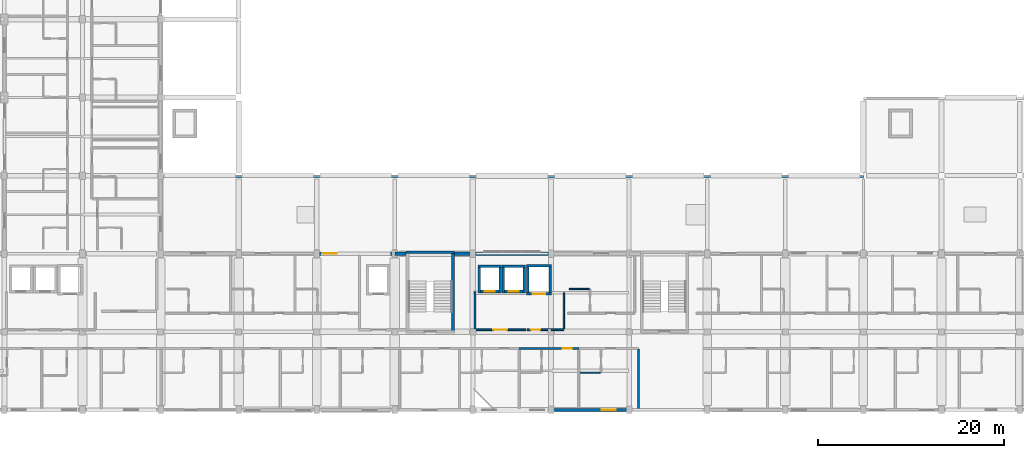
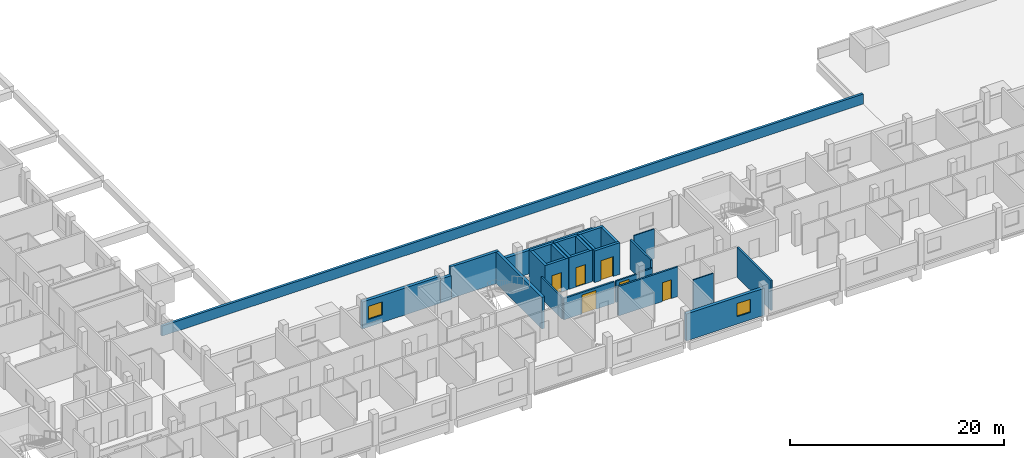
# One storey, part 33 of 42: 28 walls, 6 doors, 2 windows, 8 openings.
"""IFC4 building model written with IfcOpenShell, lengths in metres."""

from ifc_helpers import new_model, si_unit, derived_unit, direction, frame, frame_2d, origin, place, context, subcontext, project, spatial, rectangle, extrude, material, layer, layer_set, type_object, element, fill, save


model = new_model("IFC4")

# Units and contexts
model_context = context("Model", 3, precision=1e-05, world=origin(), true_north=direction((0.0, 1.0)))
body_context = subcontext(model_context, "Body", "Model", "MODEL_VIEW")
ifc_project = project(units=[si_unit("LENGTHUNIT", "METRE"), si_unit("AREAUNIT", "SQUARE_METRE"), si_unit("VOLUMEUNIT", "CUBIC_METRE"), si_unit("PLANEANGLEUNIT", "RADIAN"), si_unit("MASSUNIT", "GRAM", prefix="KILO"), derived_unit("THERMALTRANSMITTANCEUNIT", [(si_unit("POWERUNIT", "WATT"), 1), (si_unit("LENGTHUNIT", "METRE"), -2), (si_unit("THERMODYNAMICTEMPERATUREUNIT", "KELVIN"), -1)])], contexts=[model_context])

# Site, building, storey
site_placement = place(None, origin())
site = spatial("IfcSite", under=ifc_project, at=site_placement, CompositionType="ELEMENT")
building_placement = place(site_placement, origin())
building = spatial("IfcBuilding", under=site, at=building_placement, Name="Barrovel Congress Hotel", CompositionType="ELEMENT")
storey_placement = place(building_placement, frame((0.0, 0.0, 18.300048828125)))
storey = spatial("IfcBuildingStorey", under=building, at=storey_placement, Name="L04", CompositionType="ELEMENT", Elevation=18.300048828125)

# Wall
ifc_material_1 = material(Name="Fired Clay Brick Masonry", Category="masonry")
ifc_layer_1 = layer(ifc_material_1, 0.340087890625)
ifc_layer_set_1 = layer_set([ifc_layer_1], Name="Fired Clay Brick Masonry")
wall_type_1 = type_object("IfcWallType", Name="EW-BRK340", PredefinedType="STANDARD", material=ifc_layer_set_1)
wall_1_placement = place(storey_placement, frame((92.39990234375, 21.0, 0.0), z_axis=(0.0, 0.0, 1.0), x_axis=(-1.0, 0.0, 0.0)))
element("IfcWall", 1, at=wall_1_placement, inside=storey, type_object=wall_type_1, Name="EW:L04:HS-NE-3", PredefinedType="STANDARD", context=body_context, shape_type="SweptSolid", body=[
    extrude(rectangle(XDim=10.39990234375, YDim=0.340087890625, at=frame_2d((5.199951171875, 0.0))), origin(), (0.0, 0.0, 1.0), 2.679931640625),
])

# Wall, opening, window
wall_2_placement = place(storey_placement, frame((75.60009765625, 21.0, 0.0), z_axis=(0.0, 0.0, 1.0), x_axis=(-1.0, 0.0, 0.0)))
wall_2 = element("IfcWall", 2, at=wall_2_placement, inside=storey, type_object=wall_type_1, Name="EW:L04:HS-NE-4", PredefinedType="STANDARD", context=body_context, shape_type="SweptSolid", body=[
    extrude(rectangle(XDim=8.400146484375, YDim=0.340087890625, at=frame_2d((4.2001953125, 0.0))), origin(), (0.0, 0.0, 1.0), 3.070068359375),
])
opening_1_placement = place(wall_2_placement, frame((6.2666015625, 0.0, 0.85009765625)))
opening_1 = element("IfcOpeningElement", 3, at=opening_1_placement, cuts=wall_2, Name="Opening WN-07", PredefinedType="OPENING", context=body_context, shape_type="SweptSolid", body=[
    extrude(rectangle(XDim=1.5, YDim=1.5, at=frame_2d((0.75, 0.75))), frame((0.0, 0.18017578125, 0.0), z_axis=(0.0, -1.0, 0.0), x_axis=(1.0, 0.0, 0.0)), (0.0, 0.0, 1.0), 0.360107421875),
])
ifc_material_2 = material(Name="Double Low-E Insulated Glazing", Category="glass")
window_type = type_object("IfcWindowType", Name="WIN-WN-07", PartitioningType="SINGLE_PANEL", PredefinedType="WINDOW", material=ifc_material_2)
window_1_placement = place(opening_1_placement, origin())
window_1 = element("IfcWindow", 4, at=window_1_placement, inside=storey, type_object=window_type, Name="WIN:L04:U23", OverallHeight=1.5, OverallWidth=1.5, PartitioningType="SINGLE_PANEL", PredefinedType="WINDOW", context=body_context, shape_type="SweptSolid", body=[
    extrude(rectangle(XDim=1.5, YDim=1.5, at=frame_2d((0.75, 0.75))), frame((0.0, 0.030029296875, 0.0), z_axis=(0.0, -1.0, 0.0), x_axis=(1.0, 0.0, 0.0)), (0.0, 0.0, 1.0), 0.06005859375),
])
fill(opening_1, window_1)

wall_3_placement = place(storey_placement, frame((92.39990234375, 4.199951171875, 0.0), z_axis=(0.0, 0.0, 1.0), x_axis=(1.0, 0.0, 0.0)))
wall_3 = element("IfcWall", 5, at=wall_3_placement, inside=storey, type_object=wall_type_1, Name="EW:L04:HS-S:P08", PredefinedType="STANDARD", context=body_context, shape_type="SweptSolid", body=[
    extrude(rectangle(XDim=8.400146484375, YDim=0.340087890625, at=frame_2d((4.2001953125, 0.0))), origin(), (0.0, 0.0, 1.0), 3.0751953125),
])
opening_2_placement = place(wall_3_placement, frame((5.44091796875, 0.0, 0.85009765625)))
opening_2 = element("IfcOpeningElement", 6, at=opening_2_placement, cuts=wall_3, Name="Opening WN-07", PredefinedType="OPENING", context=body_context, shape_type="SweptSolid", body=[
    extrude(rectangle(XDim=1.5, YDim=1.5, at=frame_2d((0.75, 0.75))), frame((0.0, 0.18017578125, 0.0), z_axis=(0.0, -1.0, 0.0), x_axis=(1.0, 0.0, 0.0)), (0.0, 0.0, 1.0), 0.360107421875),
])
window_2_placement = place(opening_2_placement, origin())
window_2 = element("IfcWindow", 7, at=window_2_placement, inside=storey, type_object=window_type, Name="WIN:L04:U12", OverallHeight=1.5, OverallWidth=1.5, PartitioningType="SINGLE_PANEL", PredefinedType="WINDOW", context=body_context, shape_type="SweptSolid", body=[
    extrude(rectangle(XDim=1.5, YDim=1.5, at=frame_2d((0.75, 0.75))), frame((0.0, 0.030029296875, 0.0), z_axis=(0.0, -1.0, 0.0), x_axis=(1.0, 0.0, 0.0)), (0.0, 0.0, 1.0), 0.06005859375),
])
fill(opening_2, window_2)

# Walls
wall_4_placement = place(storey_placement, frame((76.800048828125, 21.0, 0.0), z_axis=(0.0, 0.0, 1.0), x_axis=(-1.0, 0.0, 0.0)))
element("IfcWall", 8, at=wall_4_placement, inside=storey, type_object=wall_type_1, Name="EW:L04:HS-NE-4:P01", PredefinedType="STANDARD", context=body_context, shape_type="SweptSolid", body=[
    extrude(rectangle(XDim=1.199951171875, YDim=0.340087890625, at=frame_2d((0.60009765625, 0.0))), origin(), (0.0, 0.0, 1.0), 2.72998046875),
])
ifc_layer_2 = layer(ifc_material_1, 0.260009765625)
ifc_layer_set_2 = layer_set([ifc_layer_2], Name="Fired Clay Brick Masonry")
wall_type_2 = type_object("IfcWallType", Name="EW-PAR260", PredefinedType="PARAPET", material=ifc_layer_set_2)
wall_5_placement = place(storey_placement, frame((50.39990234375, 29.300048828125, 0.0), z_axis=(0.0, 0.0, 1.0), x_axis=(1.0, 0.0, 0.0)))
element("IfcWall", 9, at=wall_5_placement, inside=storey, type_object=wall_type_2, Name="PAR:L04:06", PredefinedType="PARAPET", context=body_context, shape_type="SweptSolid", body=[
    extrude(rectangle(XDim=75.60009765625, YDim=0.260009765625, at=frame_2d((37.800048828125, 0.0))), origin(), (0.0, 0.0, 1.0), 1.14990234375),
])

# Wall, opening, door
ifc_material_3 = material(Name="Gypsum Acoustic Stud", Category="gypsum")
ifc_layer_3 = layer(ifc_material_3, 0.179931640625)
ifc_layer_set_3 = layer_set([ifc_layer_3], Name="Gypsum Acoustic Stud")
wall_type_3 = type_object("IfcWallType", Name="PW-ACU-180", PredefinedType="PARTITIONING", material=ifc_layer_set_3)
wall_6_placement = place(storey_placement, frame((88.963623046875, 10.800048828125, 0.0), z_axis=(0.0, 0.0, 1.0), x_axis=(1.0, 0.0, 0.0)))
wall_6 = element("IfcWall", 10, at=wall_6_placement, inside=storey, type_object=wall_type_3, Name="PW:L04:U11:COR", PredefinedType="PARTITIONING", context=body_context, shape_type="SweptSolid", body=[
    extrude(rectangle(XDim=6.418212890625, YDim=0.179931640625, at=frame_2d((3.208984375, 0.0))), origin(), (0.0, 0.0, 1.0), 3.375),
])
opening_3_placement = place(wall_6_placement, frame((4.71630859375, 0.0, 0.0)))
opening_3 = element("IfcOpeningElement", 11, at=opening_3_placement, cuts=wall_6, Name="Opening ID-HTL", PredefinedType="OPENING", context=body_context, shape_type="SweptSolid", body=[
    extrude(rectangle(XDim=0.9599609375, YDim=2.14990234375, at=frame_2d((0.47998046875, 1.074951171875))), frame((0.0, 0.10009765625, 0.0), z_axis=(0.0, -1.0, 0.0), x_axis=(1.0, 0.0, 0.0)), (0.0, 0.0, 1.0), 0.199951171875),
])
ifc_material_4 = material(Name="Solid Oak Acoustic Timber Door", Category="wood")
door_type_1 = type_object("IfcDoorType", Name="IDR-ID-HTL", OperationType="NOTDEFINED", PredefinedType="DOOR", material=ifc_material_4)
door_1_placement = place(opening_3_placement, origin())
door_1 = element("IfcDoor", 12, at=door_1_placement, inside=storey, type_object=door_type_1, Name="DR:L04:U11:ENT", OperationType="SINGLE_SWING_RIGHT", OverallHeight=2.14990234375, OverallWidth=0.9599609375, PredefinedType="DOOR", context=body_context, shape_type="SweptSolid", body=[
    extrude(rectangle(XDim=0.9599609375, YDim=2.14990234375, at=frame_2d((0.47998046875, 1.074951171875))), frame((0.0, 0.02490234375, 0.0), z_axis=(0.0, -1.0, 0.0), x_axis=(1.0, 0.0, 0.0)), (0.0, 0.0, 1.0), 0.050048828125),
])
fill(opening_3, door_1)

wall_7_placement = place(storey_placement, frame((84.219970703125, 12.820068359375, 0.0), z_axis=(0.0, 0.0, 1.0), x_axis=(1.0, 0.0, 0.0)))
wall_7 = element("IfcWall", 13, at=wall_7_placement, inside=storey, type_object=wall_type_3, Name="RW:SP:L04:LL-C2:S", PredefinedType="PARTITIONING", context=body_context, shape_type="SweptSolid", body=[
    extrude(rectangle(XDim=5.4599609375, YDim=0.179931640625, at=frame_2d((2.72998046875, 0.0))), origin(), (0.0, 0.0, 1.0), 2.429931640625),
])
opening_4_placement = place(wall_7_placement, frame((1.97998046875, 0.0, 0.0)))
opening_4 = element("IfcOpeningElement", 14, at=opening_4_placement, cuts=wall_7, Name="Opening ID-FFL", PredefinedType="OPENING", context=body_context, shape_type="SweptSolid", body=[
    extrude(rectangle(XDim=1.5, YDim=2.14990234375, at=frame_2d((0.75, 1.074951171875))), frame((0.0, 0.10009765625, 0.0), z_axis=(0.0, -1.0, 0.0), x_axis=(1.0, 0.0, 0.0)), (0.0, 0.0, 1.0), 0.199951171875),
])
ifc_material_5 = material(Name="Painted Hollow-Metal Steel Door", Category="steel")
door_type_2 = type_object("IfcDoorType", Name="IDR-ID-FFL", OperationType="NOTDEFINED", PredefinedType="DOOR", material=ifc_material_5)
door_2_placement = place(opening_4_placement, origin())
door_2 = element("IfcDoor", 15, at=door_2_placement, inside=storey, type_object=door_type_2, Name="RD:SP:L04:LL-C2", OperationType="DOUBLE_DOOR_SINGLE_SWING", OverallHeight=2.14990234375, OverallWidth=1.5, PredefinedType="DOOR", context=body_context, shape_type="SweptSolid", body=[
    extrude(rectangle(XDim=1.5, YDim=2.14990234375, at=frame_2d((0.75, 1.074951171875))), frame((0.0, 0.02490234375, 0.0), z_axis=(0.0, -1.0, 0.0), x_axis=(1.0, 0.0, 0.0)), (0.0, 0.0, 1.0), 0.050048828125),
])
fill(opening_4, door_2)

# Wall
wall_8_placement = place(storey_placement, frame((84.219970703125, 12.909912109375, 0.0), z_axis=(0.0, 0.0, 1.0), x_axis=(0.0, 1.0, 0.0)))
element("IfcWall", 16, at=wall_8_placement, inside=storey, type_object=wall_type_3, Name="RW:SP:L04:LL-C2:W", PredefinedType="PARTITIONING", context=body_context, shape_type="SweptSolid", body=[
    extrude(rectangle(XDim=3.969970703125, YDim=0.179931640625, at=frame_2d((1.98486328125, 0.0))), origin(), (0.0, 0.0, 1.0), 2.429931640625),
])

# Wall, opening, door
wall_9_placement = place(storey_placement, frame((89.820068359375, 12.820068359375, 0.0), z_axis=(0.0, 0.0, 1.0), x_axis=(1.0, 0.0, 0.0)))
wall_9 = element("IfcWall", 17, at=wall_9_placement, inside=storey, type_object=wall_type_3, Name="RW:SP:L04:LL-SL2:S", PredefinedType="PARTITIONING", context=body_context, shape_type="SweptSolid", body=[
    extrude(rectangle(XDim=2.579833984375, YDim=0.179931640625, at=frame_2d((1.2900390625, 0.0))), origin(), (0.0, 0.0, 1.0), 2.429931640625),
])
opening_5_placement = place(wall_9_placement, frame((0.419921875, 0.0, 0.0)))
opening_5 = element("IfcOpeningElement", 18, at=opening_5_placement, cuts=wall_9, Name="Opening ID-ACC", PredefinedType="OPENING", context=body_context, shape_type="SweptSolid", body=[
    extrude(rectangle(XDim=1.02001953125, YDim=2.14990234375, at=frame_2d((0.510009765625, 1.074951171875))), frame((0.0, 0.10009765625, 0.0), z_axis=(0.0, -1.0, 0.0), x_axis=(1.0, 0.0, 0.0)), (0.0, 0.0, 1.0), 0.199951171875),
])
door_type_3 = type_object("IfcDoorType", Name="IDR-ID-ACC", OperationType="NOTDEFINED", PredefinedType="DOOR", material=ifc_material_4)
door_3_placement = place(opening_5_placement, origin())
door_3 = element("IfcDoor", 19, at=door_3_placement, inside=storey, type_object=door_type_3, Name="RD:SP:L04:LL-SL2", OperationType="SINGLE_SWING_LEFT", OverallHeight=2.14990234375, OverallWidth=1.02001953125, PredefinedType="DOOR", context=body_context, shape_type="SweptSolid", body=[
    extrude(rectangle(XDim=1.02001953125, YDim=2.14990234375, at=frame_2d((0.510009765625, 1.074951171875))), frame((0.0, 0.02490234375, 0.0), z_axis=(0.0, -1.0, 0.0), x_axis=(1.0, 0.0, 0.0)), (0.0, 0.0, 1.0), 0.050048828125),
])
fill(opening_5, door_3)

# Walls
wall_10_placement = place(storey_placement, frame((93.780029296875, 12.909912109375, 0.0), z_axis=(0.0, 0.0, 1.0), x_axis=(0.0, 1.0, 0.0)))
element("IfcWall", 20, at=wall_10_placement, inside=storey, type_object=wall_type_3, Name="RW:SP:L04:LL-SL2:E", PredefinedType="PARTITIONING", context=body_context, shape_type="SweptSolid", body=[
    extrude(rectangle(XDim=3.8701171875, YDim=0.179931640625, at=frame_2d((1.93505859375, 0.0))), origin(), (0.0, 0.0, 1.0), 3.375),
])
wall_11_placement = place(storey_placement, frame((92.39990234375, 12.820068359375, 0.0), z_axis=(0.0, 0.0, 1.0), x_axis=(1.0, 0.0, 0.0)))
element("IfcWall", 21, at=wall_11_placement, inside=storey, type_object=wall_type_3, Name="RW:SP:L04:LL-SL2:S:P02", PredefinedType="PARTITIONING", context=body_context, shape_type="SweptSolid", body=[
    extrude(rectangle(XDim=1.380126953125, YDim=0.179931640625, at=frame_2d((0.68994140625, 0.0))), origin(), (0.0, 0.0, 1.0), 2.530029296875),
])
ifc_layer_4 = layer(ifc_material_3, 0.1201171875)
ifc_layer_set_4 = layer_set([ifc_layer_4], Name="Gypsum Acoustic Stud")
wall_type_4 = type_object("IfcWallType", Name="PW-INT-120", PredefinedType="PARTITIONING", material=ifc_layer_set_4)
wall_12_placement = place(storey_placement, frame((95.521728515625, 8.199951171875, 0.0), z_axis=(0.0, 0.0, 1.0), x_axis=(1.0, 0.0, 0.0)))
element("IfcWall", 22, at=wall_12_placement, inside=storey, type_object=wall_type_4, Name="PW:L04:U12:B2", PredefinedType="PARTITIONING", context=body_context, shape_type="SweptSolid", body=[
    extrude(rectangle(XDim=2.190185546875, YDim=0.1201171875, at=frame_2d((1.09521484375, 0.0))), origin(), (0.0, 0.0, 1.0), 3.375),
])
wall_13_placement = place(storey_placement, frame((94.340087890625, 17.199951171875, 0.0), z_axis=(0.0, 0.0, 1.0), x_axis=(1.0, 0.0, 0.0)))
element("IfcWall", 23, at=wall_13_placement, inside=storey, type_object=wall_type_4, Name="PW:L04:U24:B2", PredefinedType="PARTITIONING", context=body_context, shape_type="SweptSolid", body=[
    extrude(rectangle(XDim=2.18994140625, YDim=0.1201171875, at=frame_2d((1.094970703125, 0.0))), origin(), (0.0, 0.0, 1.0), 3.375),
])
ifc_layer_5 = layer(ifc_material_1, 0.199951171875)
ifc_layer_set_5 = layer_set([ifc_layer_5], Name="Fired Clay Brick Masonry")
wall_type_5 = type_object("IfcWallType", Name="PW-MAS-200", PredefinedType="PARTITIONING", material=ifc_layer_set_5)
wall_14_placement = place(storey_placement, frame((101.800048828125, 4.3701171875, 0.0), z_axis=(0.0, 0.0, 1.0), x_axis=(0.0, 1.0, 0.0)))
element("IfcWall", 24, at=wall_14_placement, inside=storey, type_object=wall_type_5, Name="PW:L04:U12:DEM", PredefinedType="PARTITIONING", context=body_context, shape_type="SweptSolid", body=[
    extrude(rectangle(XDim=6.33984375, YDim=0.199951171875, at=frame_2d((3.169921875, 0.0))), origin(), (0.0, 0.0, 1.0), 3.375),
])

# Wall, opening, door
ifc_material_6 = material(Name="Concrete C40", Category="concrete")
ifc_layer_6 = layer(ifc_material_6, 0.280029296875)
ifc_layer_set_6 = layer_set([ifc_layer_6], Name="Concrete C40")
wall_type_6 = type_object("IfcWallType", Name="SW-C40-280", PredefinedType="SHEAR", material=ifc_layer_set_6)
wall_15_placement = place(storey_placement, frame((84.5400390625, 16.929931640625, 0.0), z_axis=(0.0, 0.0, 1.0), x_axis=(1.0, 0.0, 0.0)))
wall_15 = element("IfcWall", 25, at=wall_15_placement, inside=storey, type_object=wall_type_6, Name="LSH:PL-3:L04:S", PredefinedType="SHEAR", context=body_context, shape_type="SweptSolid", body=[
    extrude(rectangle(XDim=2.52001953125, YDim=0.280029296875, at=frame_2d((1.260009765625, 0.0))), origin(), (0.0, 0.0, 1.0), 3.599853515625),
])
opening_6_placement = place(wall_15_placement, frame((0.735107421875, 0.0, 0.0)))
opening_6 = element("IfcOpeningElement", 26, at=opening_6_placement, cuts=wall_15, Name="Opening LD-PAX", PredefinedType="OPENING", context=body_context, shape_type="SweptSolid", body=[
    extrude(rectangle(XDim=1.050048828125, YDim=2.199951171875, at=frame_2d((0.52490234375, 1.10009765625))), frame((0.0, 0.14990234375, 0.0), z_axis=(0.0, -1.0, 0.0), x_axis=(1.0, 0.0, 0.0)), (0.0, 0.0, 1.0), 0.300048828125),
])
ifc_material_7 = material(Name="Brushed Stainless Steel", Category="steel")
door_type_4 = type_object("IfcDoorType", Name="IDR-LD-PAX", OperationType="NOTDEFINED", PredefinedType="DOOR", material=ifc_material_7)
door_4_placement = place(opening_6_placement, origin())
door_4 = element("IfcDoor", 27, at=door_4_placement, inside=storey, type_object=door_type_4, Name="Lift Landing Door LD-PL-3-L04", OperationType="SLIDING_TO_LEFT", OverallHeight=2.199951171875, OverallWidth=1.050048828125, PredefinedType="DOOR", context=body_context, shape_type="SweptSolid", body=[
    extrude(rectangle(XDim=1.050048828125, YDim=2.199951171875, at=frame_2d((0.52490234375, 1.10009765625))), frame((0.0, 0.02490234375, 0.0), z_axis=(0.0, -1.0, 0.0), x_axis=(1.0, 0.0, 0.0)), (0.0, 0.0, 1.0), 0.050048828125),
])
fill(opening_6, door_4)

# Walls
wall_16_placement = place(storey_placement, frame((86.919921875, 16.7900390625, 0.0), z_axis=(0.0, 0.0, 1.0), x_axis=(0.0, 1.0, 0.0)))
element("IfcWall", 28, at=wall_16_placement, inside=storey, type_object=wall_type_6, Name="LSH:PL-3:L04:E", PredefinedType="SHEAR", context=body_context, shape_type="SweptSolid", body=[
    extrude(rectangle(XDim=3.02001953125, YDim=0.280029296875, at=frame_2d((1.510009765625, 0.0))), origin(), (0.0, 0.0, 1.0), 3.599853515625),
])
wall_17_placement = place(storey_placement, frame((87.06005859375, 19.669921875, 0.0), z_axis=(0.0, 0.0, 1.0), x_axis=(-1.0, 0.0, 0.0)))
element("IfcWall", 29, at=wall_17_placement, inside=storey, type_object=wall_type_6, Name="LSH:PL-3:L04:N", PredefinedType="SHEAR", context=body_context, shape_type="SweptSolid", body=[
    extrude(rectangle(XDim=2.52001953125, YDim=0.280029296875, at=frame_2d((1.260009765625, 0.0))), origin(), (0.0, 0.0, 1.0), 3.599853515625),
])
wall_18_placement = place(storey_placement, frame((84.679931640625, 19.81005859375, 0.0), z_axis=(0.0, 0.0, 1.0), x_axis=(0.0, -1.0, 0.0)))
element("IfcWall", 30, at=wall_18_placement, inside=storey, type_object=wall_type_6, Name="LSH:PL-3:L04:W", PredefinedType="SHEAR", context=body_context, shape_type="SweptSolid", body=[
    extrude(rectangle(XDim=3.02001953125, YDim=0.280029296875, at=frame_2d((1.510009765625, 0.0))), origin(), (0.0, 0.0, 1.0), 3.599853515625),
])

# Wall, opening, door
wall_19_placement = place(storey_placement, frame((87.139892578125, 16.929931640625, 0.0), z_axis=(0.0, 0.0, 1.0), x_axis=(1.0, 0.0, 0.0)))
wall_19 = element("IfcWall", 31, at=wall_19_placement, inside=storey, type_object=wall_type_6, Name="LSH:PL-4:L04:S", PredefinedType="SHEAR", context=body_context, shape_type="SweptSolid", body=[
    extrude(rectangle(XDim=2.52001953125, YDim=0.280029296875, at=frame_2d((1.260009765625, 0.0))), origin(), (0.0, 0.0, 1.0), 3.599853515625),
])
opening_7_placement = place(wall_19_placement, frame((0.735107421875, 0.0, 0.0)))
opening_7 = element("IfcOpeningElement", 32, at=opening_7_placement, cuts=wall_19, Name="Opening LD-PAX", PredefinedType="OPENING", context=body_context, shape_type="SweptSolid", body=[
    extrude(rectangle(XDim=1.050048828125, YDim=2.199951171875, at=frame_2d((0.52490234375, 1.10009765625))), frame((0.0, 0.14990234375, 0.0), z_axis=(0.0, -1.0, 0.0), x_axis=(1.0, 0.0, 0.0)), (0.0, 0.0, 1.0), 0.300048828125),
])
door_5_placement = place(opening_7_placement, origin())
door_5 = element("IfcDoor", 33, at=door_5_placement, inside=storey, type_object=door_type_4, Name="Lift Landing Door LD-PL-4-L04", OperationType="SLIDING_TO_LEFT", OverallHeight=2.199951171875, OverallWidth=1.050048828125, PredefinedType="DOOR", context=body_context, shape_type="SweptSolid", body=[
    extrude(rectangle(XDim=1.050048828125, YDim=2.199951171875, at=frame_2d((0.52490234375, 1.10009765625))), frame((0.0, 0.02490234375, 0.0), z_axis=(0.0, -1.0, 0.0), x_axis=(1.0, 0.0, 0.0)), (0.0, 0.0, 1.0), 0.050048828125),
])
fill(opening_7, door_5)

# Walls
wall_20_placement = place(storey_placement, frame((89.52001953125, 16.7900390625, 0.0), z_axis=(0.0, 0.0, 1.0), x_axis=(0.0, 1.0, 0.0)))
element("IfcWall", 34, at=wall_20_placement, inside=storey, type_object=wall_type_6, Name="LSH:PL-4:L04:E", PredefinedType="SHEAR", context=body_context, shape_type="SweptSolid", body=[
    extrude(rectangle(XDim=3.02001953125, YDim=0.280029296875, at=frame_2d((1.510009765625, 0.0))), origin(), (0.0, 0.0, 1.0), 3.599853515625),
])
wall_21_placement = place(storey_placement, frame((89.659912109375, 19.669921875, 0.0), z_axis=(0.0, 0.0, 1.0), x_axis=(-1.0, 0.0, 0.0)))
element("IfcWall", 35, at=wall_21_placement, inside=storey, type_object=wall_type_6, Name="LSH:PL-4:L04:N", PredefinedType="SHEAR", context=body_context, shape_type="SweptSolid", body=[
    extrude(rectangle(XDim=2.52001953125, YDim=0.280029296875, at=frame_2d((1.260009765625, 0.0))), origin(), (0.0, 0.0, 1.0), 3.599853515625),
])
wall_22_placement = place(storey_placement, frame((87.280029296875, 19.81005859375, 0.0), z_axis=(0.0, 0.0, 1.0), x_axis=(0.0, -1.0, 0.0)))
element("IfcWall", 36, at=wall_22_placement, inside=storey, type_object=wall_type_6, Name="LSH:PL-4:L04:W", PredefinedType="SHEAR", context=body_context, shape_type="SweptSolid", body=[
    extrude(rectangle(XDim=3.02001953125, YDim=0.280029296875, at=frame_2d((1.510009765625, 0.0))), origin(), (0.0, 0.0, 1.0), 3.599853515625),
])

# Wall, opening, door
wall_23_placement = place(storey_placement, frame((89.739990234375, 16.679931640625, 0.0), z_axis=(0.0, 0.0, 1.0), x_axis=(1.0, 0.0, 0.0)))
wall_23 = element("IfcWall", 37, at=wall_23_placement, inside=storey, type_object=wall_type_6, Name="LSH:SL-2:L04:S", PredefinedType="SHEAR", context=body_context, shape_type="SweptSolid", body=[
    extrude(rectangle(XDim=2.719970703125, YDim=0.280029296875, at=frame_2d((1.35986328125, 0.0))), origin(), (0.0, 0.0, 1.0), 3.599853515625),
])
opening_8_placement = place(wall_23_placement, frame((0.7099609375, 0.0, 0.0)))
opening_8 = element("IfcOpeningElement", 38, at=opening_8_placement, cuts=wall_23, Name="Opening LD-SRV", PredefinedType="OPENING", context=body_context, shape_type="SweptSolid", body=[
    extrude(rectangle(XDim=1.300048828125, YDim=2.25, at=frame_2d((0.64990234375, 1.125))), frame((0.0, 0.14990234375, 0.0), z_axis=(0.0, -1.0, 0.0), x_axis=(1.0, 0.0, 0.0)), (0.0, 0.0, 1.0), 0.300048828125),
])
door_type_5 = type_object("IfcDoorType", Name="IDR-LD-SRV", OperationType="NOTDEFINED", PredefinedType="DOOR", material=ifc_material_7)
door_6_placement = place(opening_8_placement, origin())
door_6 = element("IfcDoor", 39, at=door_6_placement, inside=storey, type_object=door_type_5, Name="Lift Landing Door LD-SL-2-L04", OperationType="SLIDING_TO_LEFT", OverallHeight=2.25, OverallWidth=1.300048828125, PredefinedType="DOOR", context=body_context, shape_type="SweptSolid", body=[
    extrude(rectangle(XDim=1.300048828125, YDim=2.25, at=frame_2d((0.64990234375, 1.125))), frame((0.0, 0.02490234375, 0.0), z_axis=(0.0, -1.0, 0.0), x_axis=(1.0, 0.0, 0.0)), (0.0, 0.0, 1.0), 0.050048828125),
])
fill(opening_8, door_6)

# Walls
wall_24_placement = place(storey_placement, frame((92.320068359375, 16.5400390625, 0.0), z_axis=(0.0, 0.0, 1.0), x_axis=(0.0, 1.0, 0.0)))
element("IfcWall", 40, at=wall_24_placement, inside=storey, type_object=wall_type_6, Name="LSH:SL-2:L04:E", PredefinedType="SHEAR", context=body_context, shape_type="SweptSolid", body=[
    extrude(rectangle(XDim=3.320068359375, YDim=0.280029296875, at=frame_2d((1.66015625, 0.0))), origin(), (0.0, 0.0, 1.0), 3.599853515625),
])
wall_25_placement = place(storey_placement, frame((92.4599609375, 19.719970703125, 0.0), z_axis=(0.0, 0.0, 1.0), x_axis=(-1.0, 0.0, 0.0)))
element("IfcWall", 41, at=wall_25_placement, inside=storey, type_object=wall_type_6, Name="LSH:SL-2:L04:N", PredefinedType="SHEAR", context=body_context, shape_type="SweptSolid", body=[
    extrude(rectangle(XDim=2.719970703125, YDim=0.280029296875, at=frame_2d((1.35986328125, 0.0))), origin(), (0.0, 0.0, 1.0), 3.599853515625),
])
wall_26_placement = place(storey_placement, frame((89.8798828125, 19.860107421875, 0.0), z_axis=(0.0, 0.0, 1.0), x_axis=(0.0, -1.0, 0.0)))
element("IfcWall", 42, at=wall_26_placement, inside=storey, type_object=wall_type_6, Name="LSH:SL-2:L04:W", PredefinedType="SHEAR", context=body_context, shape_type="SweptSolid", body=[
    extrude(rectangle(XDim=3.320068359375, YDim=0.280029296875, at=frame_2d((1.66015625, 0.0))), origin(), (0.0, 0.0, 1.0), 3.599853515625),
])
ifc_layer_7 = layer(ifc_material_6, 0.300048828125)
ifc_layer_set_7 = layer_set([ifc_layer_7], Name="Concrete C40")
wall_type_7 = type_object("IfcWallType", Name="SW-C40-300", PredefinedType="SHEAR", material=ifc_layer_set_7)
wall_27_placement = place(storey_placement, frame((81.85009765625, 12.4599609375, 0.0), z_axis=(0.0, 0.0, 1.0), x_axis=(0.0, 1.0, 0.0)))
element("IfcWall", 43, at=wall_27_placement, inside=storey, type_object=wall_type_7, Name="SHW:XS-02:L04:E", PredefinedType="SHEAR", context=body_context, shape_type="SweptSolid", body=[
    extrude(rectangle(XDim=8.840087890625, YDim=0.300048828125, at=frame_2d((4.419921875, 0.0))), origin(), (0.0, 0.0, 1.0), 3.599853515625),
])
wall_28_placement = place(storey_placement, frame((82.0, 21.14990234375, 0.0), z_axis=(0.0, 0.0, 1.0), x_axis=(-1.0, 0.0, 0.0)))
element("IfcWall", 44, at=wall_28_placement, inside=storey, type_object=wall_type_7, Name="SHW:XS-02:L04:N", PredefinedType="SHEAR", context=body_context, shape_type="SweptSolid", body=[
    extrude(rectangle(XDim=5.199951171875, YDim=0.300048828125, at=frame_2d((2.60009765625, 0.0))), origin(), (0.0, 0.0, 1.0), 3.599853515625),
])

save(model, "model.ifc")
